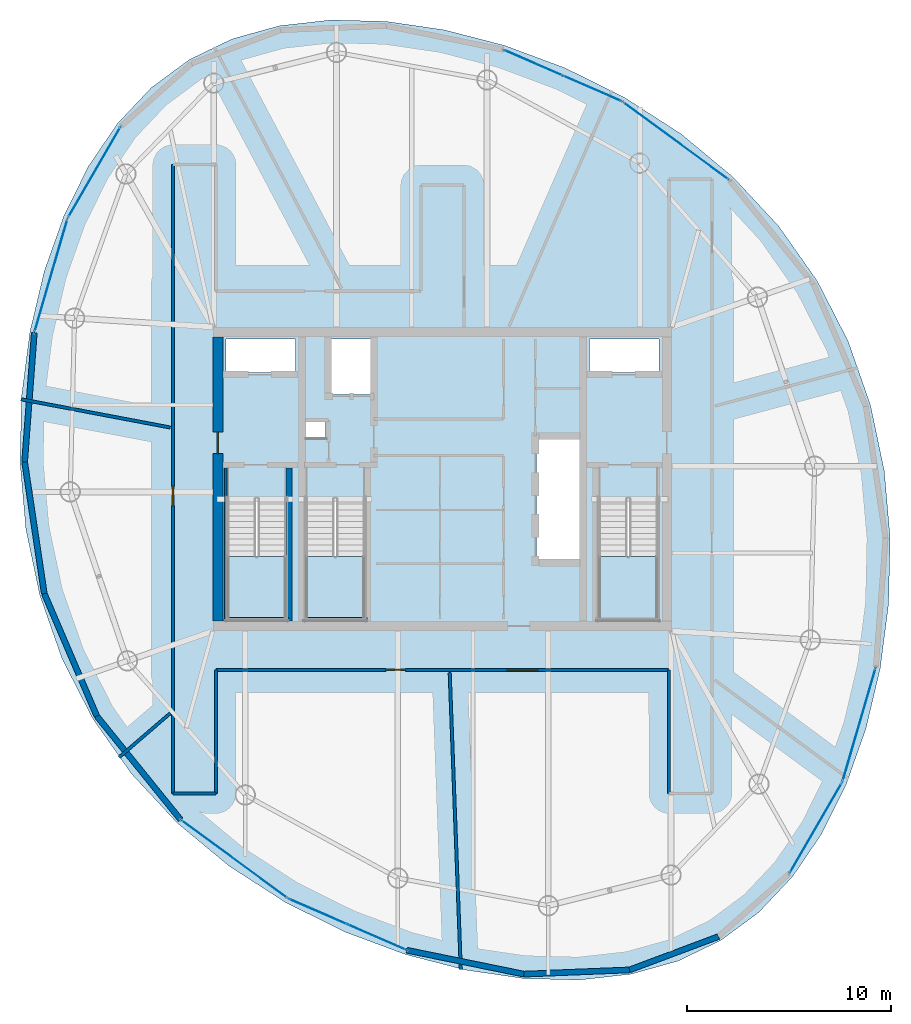
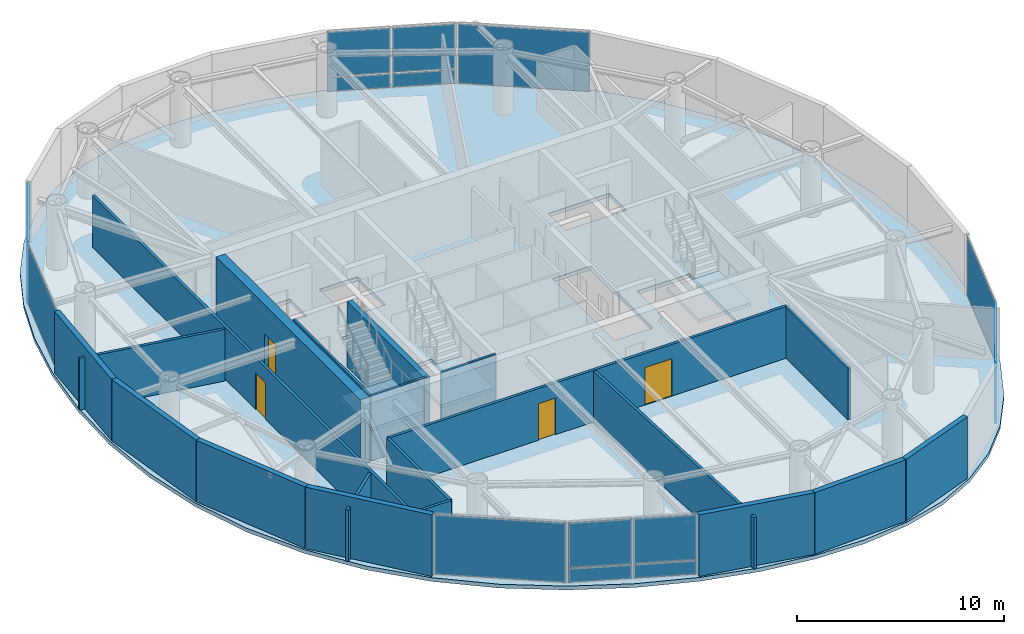
# One storey, part 14 of 20: 20 walls, 14 plates, 4 doors, 4 slabs, 4 openings, 11 elements without a shape of their own.
"""IFC4 building model written with IfcOpenShell, lengths in metres."""

from ifc_helpers import new_model, si_unit, direction, frame, frame_2d, origin, origin_2d, place, context, subcontext, project, spatial, polyline, rectangle, outline, extrude, material, layer, layer_set, type_object, element, fill, aggregate, save


model = new_model("IFC4")

# Units and contexts
model_context = context("Model", 3, precision=1e-05, world=origin(), true_north=direction((0.0, 1.0)))
body_context = subcontext(model_context, "Body", "Model", "MODEL_VIEW")
ifc_project = project(units=[si_unit("LENGTHUNIT", "METRE"), si_unit("AREAUNIT", "SQUARE_METRE"), si_unit("VOLUMEUNIT", "CUBIC_METRE"), si_unit("PLANEANGLEUNIT", "RADIAN"), si_unit("MASSUNIT", "GRAM", prefix="KILO")], contexts=[model_context])

# Site, building, storey
site_placement = place(None, origin())
site = spatial("IfcSite", under=ifc_project, at=site_placement, CompositionType="ELEMENT")
building_placement = place(site_placement, origin())
building = spatial("IfcBuilding", under=site, at=building_placement, Name="Bramvorn Convention Spire", CompositionType="ELEMENT")
storey_placement = place(building_placement, frame((0.0, 0.0, 269.0)))
storey = spatial("IfcBuildingStorey", under=building, at=storey_placement, Name="L68", CompositionType="ELEMENT", Elevation=269.0)

# Curtain wall, plate
ifc_material_1 = material(Name="Anodised Bronze Unitised Curtain Wall", Category="aluminium")
ifc_layer_1 = layer(ifc_material_1, 0.179931640625)
ifc_layer_set_1 = layer_set([ifc_layer_1], Name="Anodised Bronze Unitised Curtain Wall - CW-OFF-FRIT")
curtain_wall_type = type_object("IfcCurtainWallType", Name="CW-OFF-FRIT", PredefinedType="USERDEFINED", material=ifc_layer_set_1)
curtain_wall_1_placement = place(storey_placement, origin())
curtain_wall_1 = element("IfcCurtainWall", 1, at=curtain_wall_1_placement, inside=storey, type_object=curtain_wall_type, Name="L68 fritted glass curtain wall 02", ObjectType="UNITISED CURTAIN WALL", PredefinedType="USERDEFINED")
ifc_material_2 = material(Name="Laminated Low-E Glass (Triple IGU High-VLT Low-Iron 22%)", Category="glass")
ifc_layer_2 = layer(ifc_material_2, 0.0419921875)
ifc_layer_set_2 = layer_set([ifc_layer_2], Name="Laminated Low-E Glass (Triple IGU High-VLT Low-Iron 22%) - PNL-IGU-4")
plate_type = type_object("IfcPlateType", Name="PNL-IGU-4", PredefinedType="CURTAIN_PANEL", material=ifc_layer_set_2)
plate_1_placement = place(storey_placement, frame((56.296630859375, 8.913818359375, 0.06005859375), z_axis=(0.0, 0.0, 1.0), x_axis=(-0.501431994645, -0.865197061221, 0.0)))
plate_1 = element("IfcPlate", 2, at=plate_1_placement, type_object=plate_type, Name="CW3 panel 1.1", PredefinedType="CURTAIN_PANEL", context=body_context, shape_type="SweptSolid", body=[
    extrude(rectangle(XDim=5.05908203125, YDim=0.028076171875, at=origin_2d()), origin(), (0.0, 0.0, 1.0), 3.5048828125),
])
aggregate(curtain_wall_1, [plate_1])

curtain_wall_2_placement = place(storey_placement, origin())
curtain_wall_2 = element("IfcCurtainWall", 3, at=curtain_wall_2_placement, inside=storey, type_object=curtain_wall_type, Name="L68 fritted glass curtain wall 03", ObjectType="UNITISED CURTAIN WALL", PredefinedType="USERDEFINED")
plate_2_placement = place(storey_placement, frame((58.415283203125, 13.96728515625, 0.06005859375), z_axis=(0.0, 0.0, 1.0), x_axis=(-0.279932504237, -0.96001968369, 0.0)))
plate_2 = element("IfcPlate", 4, at=plate_2_placement, type_object=plate_type, Name="CW3 panel 1.1", PredefinedType="CURTAIN_PANEL", context=body_context, shape_type="SweptSolid", body=[
    extrude(rectangle(XDim=5.739990234375, YDim=0.028076171875, at=origin_2d()), origin(), (0.0, 0.0, 1.0), 3.5048828125),
])
aggregate(curtain_wall_2, [plate_2])

curtain_wall_3_placement = place(storey_placement, origin())
curtain_wall_3 = element("IfcCurtainWall", 5, at=curtain_wall_3_placement, inside=storey, type_object=curtain_wall_type, Name="L68 fritted glass curtain wall 08", ObjectType="UNITISED CURTAIN WALL", PredefinedType="USERDEFINED")
plate_3_placement = place(storey_placement, frame((49.43603515625, 42.565673828125, 0.06005859375), z_axis=(0.0, 0.0, 1.0), x_axis=(0.806008769909, -0.591903592512, 0.0)))
plate_3 = element("IfcPlate", 6, at=plate_3_placement, type_object=plate_type, Name="CW3 panel 1.1", PredefinedType="CURTAIN_PANEL", context=body_context, shape_type="SweptSolid", body=[
    extrude(rectangle(XDim=6.40625, YDim=0.028076171875, at=origin_2d()), origin(), (0.0, 0.0, 1.0), 3.5048828125),
])
aggregate(curtain_wall_3, [plate_3])

# Curtain wall, plates
curtain_wall_4_placement = place(storey_placement, origin())
curtain_wall_4 = element("IfcCurtainWall", 7, at=curtain_wall_4_placement, inside=storey, type_object=curtain_wall_type, Name="L68 fritted glass curtain wall 09", ObjectType="UNITISED CURTAIN WALL", PredefinedType="USERDEFINED")
plate_4_placement = place(storey_placement, frame((42.4560546875, 46.390380859375, 0.06005859375), z_axis=(0.0, 0.0, 1.0), x_axis=(0.916912385376, -0.399088558524, 0.0)))
plate_4 = element("IfcPlate", 8, at=plate_4_placement, type_object=plate_type, Name="CW3 panel 1.1", PredefinedType="CURTAIN_PANEL", context=body_context, shape_type="SweptSolid", body=[
    extrude(rectangle(XDim=3.08251953125, YDim=0.028076171875, at=origin_2d()), origin(), (0.0, 0.0, 1.0), 0.81005859375),
])
plate_5_placement = place(storey_placement, frame((42.4560546875, 46.390380859375, 0.93017578125), z_axis=(0.0, 0.0, 1.0), x_axis=(0.916912385376, -0.399088558524, 0.0)))
plate_5 = element("IfcPlate", 9, at=plate_5_placement, type_object=plate_type, Name="CW3 panel 1.2", PredefinedType="CURTAIN_PANEL", context=body_context, shape_type="SweptSolid", body=[
    extrude(rectangle(XDim=3.08251953125, YDim=0.028076171875, at=origin_2d()), origin(), (0.0, 0.0, 1.0), 2.635009765625),
])
plate_6_placement = place(storey_placement, frame((45.337646484375, 45.13623046875, 0.06005859375), z_axis=(0.0, 0.0, 1.0), x_axis=(0.916912385376, -0.399088558524, 0.0)))
plate_6 = element("IfcPlate", 10, at=plate_6_placement, type_object=plate_type, Name="CW3 panel 2.1", PredefinedType="CURTAIN_PANEL", context=body_context, shape_type="SweptSolid", body=[
    extrude(rectangle(XDim=3.08251953125, YDim=0.028076171875, at=origin_2d()), origin(), (0.0, 0.0, 1.0), 0.81005859375),
])
plate_7_placement = place(storey_placement, frame((45.337646484375, 45.13623046875, 0.93017578125), z_axis=(0.0, 0.0, 1.0), x_axis=(0.916912385376, -0.399088558524, 0.0)))
plate_7 = element("IfcPlate", 11, at=plate_7_placement, type_object=plate_type, Name="CW3 panel 2.2", PredefinedType="CURTAIN_PANEL", context=body_context, shape_type="SweptSolid", body=[
    extrude(rectangle(XDim=3.08251953125, YDim=0.028076171875, at=origin_2d()), origin(), (0.0, 0.0, 1.0), 2.635009765625),
])
aggregate(curtain_wall_4, [plate_4, plate_5, plate_6, plate_7])

# Curtain wall, plate
curtain_wall_5_placement = place(storey_placement, origin())
curtain_wall_5 = element("IfcCurtainWall", 12, at=curtain_wall_5_placement, inside=storey, type_object=curtain_wall_type, Name="L68 fritted glass curtain wall 14", ObjectType="UNITISED CURTAIN WALL", PredefinedType="USERDEFINED")
plate_8_placement = place(storey_placement, frame((20.943115234375, 41.031005859375, 0.06005859375), z_axis=(0.0, 0.0, 1.0), x_axis=(0.501423618172, 0.86520191582, 0.0)))
plate_8 = element("IfcPlate", 13, at=plate_8_placement, type_object=plate_type, Name="CW3 panel 1.1", PredefinedType="CURTAIN_PANEL", context=body_context, shape_type="SweptSolid", body=[
    extrude(rectangle(XDim=5.059326171875, YDim=0.028076171875, at=origin_2d()), origin(), (0.0, 0.0, 1.0), 3.5048828125),
])
aggregate(curtain_wall_5, [plate_8])

curtain_wall_6_placement = place(storey_placement, origin())
curtain_wall_6 = element("IfcCurtainWall", 14, at=curtain_wall_6_placement, inside=storey, type_object=curtain_wall_type, Name="L68 fritted glass curtain wall 15", ObjectType="UNITISED CURTAIN WALL", PredefinedType="USERDEFINED")
plate_9_placement = place(storey_placement, frame((18.824462890625, 35.9775390625, 0.06005859375), z_axis=(0.0, 0.0, 1.0), x_axis=(0.279932504237, 0.96001968369, 0.0)))
plate_9 = element("IfcPlate", 15, at=plate_9_placement, type_object=plate_type, Name="CW3 panel 1.1", PredefinedType="CURTAIN_PANEL", context=body_context, shape_type="SweptSolid", body=[
    extrude(rectangle(XDim=5.739990234375, YDim=0.028076171875, at=origin_2d()), origin(), (0.0, 0.0, 1.0), 3.5048828125),
])
aggregate(curtain_wall_6, [plate_9])

curtain_wall_7_placement = place(storey_placement, origin())
curtain_wall_7 = element("IfcCurtainWall", 16, at=curtain_wall_7_placement, inside=storey, type_object=curtain_wall_type, Name="L68 fritted glass curtain wall 20", ObjectType="UNITISED CURTAIN WALL", PredefinedType="USERDEFINED")
plate_10_placement = place(storey_placement, frame((27.8037109375, 7.379150390625, 0.06005859375), z_axis=(0.0, 0.0, 1.0), x_axis=(-0.806008769909, 0.591903592512, 0.0)))
plate_10 = element("IfcPlate", 17, at=plate_10_placement, type_object=plate_type, Name="CW3 panel 1.1", PredefinedType="CURTAIN_PANEL", context=body_context, shape_type="SweptSolid", body=[
    extrude(rectangle(XDim=6.40625, YDim=0.028076171875, at=origin_2d()), origin(), (0.0, 0.0, 1.0), 3.5048828125),
])
aggregate(curtain_wall_7, [plate_10])

# Curtain wall, plates
curtain_wall_8_placement = place(storey_placement, origin())
curtain_wall_8 = element("IfcCurtainWall", 18, at=curtain_wall_8_placement, inside=storey, type_object=curtain_wall_type, Name="L68 fritted glass curtain wall 21", ObjectType="UNITISED CURTAIN WALL", PredefinedType="USERDEFINED")
plate_11_placement = place(storey_placement, frame((34.783447265625, 3.554443359375, 0.06005859375), z_axis=(0.0, 0.0, 1.0), x_axis=(-0.916912385376, 0.399088558524, 0.0)))
plate_11 = element("IfcPlate", 19, at=plate_11_placement, type_object=plate_type, Name="CW3 panel 1.1", PredefinedType="CURTAIN_PANEL", context=body_context, shape_type="SweptSolid", body=[
    extrude(rectangle(XDim=3.08251953125, YDim=0.028076171875, at=origin_2d()), origin(), (0.0, 0.0, 1.0), 0.81005859375),
])
plate_12_placement = place(storey_placement, frame((34.783447265625, 3.554443359375, 0.93017578125), z_axis=(0.0, 0.0, 1.0), x_axis=(-0.916912385376, 0.399088558524, 0.0)))
plate_12 = element("IfcPlate", 20, at=plate_12_placement, type_object=plate_type, Name="CW3 panel 1.2", PredefinedType="CURTAIN_PANEL", context=body_context, shape_type="SweptSolid", body=[
    extrude(rectangle(XDim=3.08251953125, YDim=0.028076171875, at=origin_2d()), origin(), (0.0, 0.0, 1.0), 2.635009765625),
])
plate_13_placement = place(storey_placement, frame((31.902099609375, 4.80859375, 0.06005859375), z_axis=(0.0, 0.0, 1.0), x_axis=(-0.916912385376, 0.399088558524, 0.0)))
plate_13 = element("IfcPlate", 21, at=plate_13_placement, type_object=plate_type, Name="CW3 panel 2.1", PredefinedType="CURTAIN_PANEL", context=body_context, shape_type="SweptSolid", body=[
    extrude(rectangle(XDim=3.08251953125, YDim=0.028076171875, at=origin_2d()), origin(), (0.0, 0.0, 1.0), 0.81005859375),
])
plate_14_placement = place(storey_placement, frame((31.902099609375, 4.80859375, 0.93017578125), z_axis=(0.0, 0.0, 1.0), x_axis=(-0.916912385376, 0.399088558524, 0.0)))
plate_14 = element("IfcPlate", 22, at=plate_14_placement, type_object=plate_type, Name="CW3 panel 2.2", PredefinedType="CURTAIN_PANEL", context=body_context, shape_type="SweptSolid", body=[
    extrude(rectangle(XDim=3.08251953125, YDim=0.028076171875, at=origin_2d()), origin(), (0.0, 0.0, 1.0), 2.635009765625),
])
aggregate(curtain_wall_8, [plate_11, plate_12, plate_13, plate_14])

# Stair, slab
ifc_material_3 = material(Name="Concrete C40/50 Precast Stair", Category="concrete")
stair_type = type_object("IfcStairType", Name="ST-TOWER-1550", PredefinedType="HALF_TURN_STAIR", material=ifc_material_3)
stair_1_placement = place(storey_placement, origin())
stair_1 = element("IfcStair", 23, at=stair_1_placement, inside=storey, type_object=stair_type, Name="L68 Protected Exit Stair ST1", PredefinedType="HALF_TURN_STAIR")
ifc_material_4 = material(Name="Concrete C40/50 Stair Landing", Category="concrete")
ifc_layer_3 = layer(ifc_material_4, 0.219970703125)
ifc_layer_set_3 = layer_set([ifc_layer_3], Name="Concrete C40/50 Stair Landing - SLB-STAIR-LANDING")
slab_type_1 = type_object("IfcSlabType", Name="SLB-STAIR-LANDING", PredefinedType="LANDING", material=ifc_layer_set_3)
slab_1_placement = place(storey_placement, frame((0.0, 0.0, 1.72509765625)))
slab_1 = element("IfcSlab", 24, at=slab_1_placement, type_object=slab_type_1, Name="ST1 landing 1", PredefinedType="LANDING", context=body_context, shape_type="SweptSolid", body=[
    extrude(outline(polyline([(27.449951171875, 22.199951171875), (27.449951171875, 19.10009765625), (30.35009765625, 19.10009765625), (30.35009765625, 22.199951171875), (27.449951171875, 22.199951171875)])), origin(), (0.0, 0.0, 1.0), 0.199951171875),
])
aggregate(stair_1, [slab_1])

stair_2_placement = place(storey_placement, origin())
stair_2 = element("IfcStair", 25, at=stair_2_placement, inside=storey, type_object=stair_type, Name="L68 Protected Exit Stair ST2", PredefinedType="HALF_TURN_STAIR")
slab_2_placement = place(storey_placement, frame((0.0, 0.0, 1.72509765625)))
slab_2 = element("IfcSlab", 26, at=slab_2_placement, type_object=slab_type_1, Name="ST2 landing 1", PredefinedType="LANDING", context=body_context, shape_type="SweptSolid", body=[
    extrude(outline(polyline([(45.64990234375, 22.199951171875), (45.64990234375, 19.10009765625), (48.550048828125, 19.10009765625), (48.550048828125, 22.199951171875), (45.64990234375, 22.199951171875)])), origin(), (0.0, 0.0, 1.0), 0.199951171875),
])
aggregate(stair_2, [slab_2])

stair_3_placement = place(storey_placement, origin())
stair_3 = element("IfcStair", 27, at=stair_3_placement, inside=storey, type_object=stair_type, Name="L68 Protected Exit Stair ST3", PredefinedType="HALF_TURN_STAIR")
slab_3_placement = place(storey_placement, frame((0.0, 0.0, 1.72509765625)))
slab_3 = element("IfcSlab", 28, at=slab_3_placement, type_object=slab_type_1, Name="ST3 landing 1", PredefinedType="LANDING", context=body_context, shape_type="SweptSolid", body=[
    extrude(outline(polyline([(31.300048828125, 22.199951171875), (31.300048828125, 19.10009765625), (34.199951171875, 19.10009765625), (34.199951171875, 22.199951171875), (31.300048828125, 22.199951171875)])), origin(), (0.0, 0.0, 1.0), 0.199951171875),
])
aggregate(stair_3, [slab_3])

# Slab
ifc_material_5 = material(Name="Concrete C40/50", Category="concrete")
ifc_layer_4 = layer(ifc_material_5, 0.22509765625)
ifc_layer_set_4 = layer_set([ifc_layer_4], Name="Concrete C40/50 - SLB-Z4-225")
slab_type_2 = type_object("IfcSlabType", Name="SLB-Z4-225", PredefinedType="FLOOR", material=ifc_layer_set_4)
slab_4_placement = place(storey_placement, frame((0.0, 0.0, -0.22509765625)))
element("IfcSlab", 29, at=slab_4_placement, inside=storey, type_object=slab_type_2, Name="L68 tower floor slab", PredefinedType="FLOOR", context=body_context, shape_type="SweptSolid", body=[
    extrude(outline(polyline([(51.636474609375, 3.39453125), (53.505126953125, 4.773681640625), (55.1533203125, 6.518798828125), (56.581298828125, 8.61767578125), (57.783935546875, 11.0458984375), (58.74755859375, 13.765869140625), (59.44921875, 16.727294921875), (59.85693359375, 19.86767578125), (59.935302734375, 23.11572265625), (59.649169921875, 26.395751953125), (58.968994140625, 29.630859375), (57.878173828125, 32.748291015625), (56.37548828125, 35.683349609375), (54.47998046875, 38.38134765625), (52.231201171875, 40.800537109375), (49.686767578125, 42.910888671875), (46.918701171875, 44.693603515625), (44.0087890625, 46.13916015625), (41.040771484375, 47.2431640625), (38.093994140625, 48.00390625), (35.238525390625, 48.419921875), (32.529541015625, 48.48828125), (30.007080078125, 48.2041015625), (27.694580078125, 47.560302734375), (25.603271484375, 46.55029296875), (23.734619140625, 45.17138671875), (22.08642578125, 43.42626953125), (20.658447265625, 41.327392578125), (19.455810546875, 38.899169921875), (18.491943359375, 36.17919921875), (17.79052734375, 33.2177734375), (17.3828125, 30.077392578125), (17.30419921875, 26.8291015625), (17.590576171875, 23.54931640625), (18.2705078125, 20.314208984375), (19.361572265625, 17.196533203125), (20.8642578125, 14.26171875), (22.759521484375, 11.563720703125), (25.00830078125, 9.14453125), (27.552978515625, 7.0341796875), (30.32080078125, 5.251220703125), (33.230712890625, 3.8056640625), (36.198974609375, 2.701904296875), (39.1455078125, 1.941162109375), (42.001220703125, 1.525146484375), (44.710205078125, 1.45654296875), (47.232666015625, 1.74072265625), (49.544921875, 2.384765625), (51.636474609375, 3.39453125)]), holes=[polyline([(27.449951171875, 25.050048828125), (27.449951171875, 19.10009765625), (30.35009765625, 19.10009765625), (30.35009765625, 25.050048828125), (27.449951171875, 25.050048828125)]), polyline([(45.64990234375, 25.050048828125), (45.64990234375, 19.10009765625), (48.550048828125, 19.10009765625), (48.550048828125, 25.050048828125), (45.64990234375, 25.050048828125)]), polyline([(31.300048828125, 25.050048828125), (31.300048828125, 19.10009765625), (34.199951171875, 19.10009765625), (34.199951171875, 25.050048828125), (31.300048828125, 25.050048828125)]), polyline([(27.39990234375, 31.219970703125), (30.800048828125, 31.219970703125), (30.800048828125, 32.85009765625), (27.39990234375, 32.85009765625), (27.39990234375, 31.219970703125)]), polyline([(45.199951171875, 31.219970703125), (48.60009765625, 31.219970703125), (48.60009765625, 32.85009765625), (45.199951171875, 32.85009765625), (45.199951171875, 31.219970703125)]), polyline([(32.449951171875, 30.14990234375), (34.56005859375, 30.14990234375), (34.56005859375, 32.85009765625), (32.449951171875, 32.85009765625), (32.449951171875, 30.14990234375)]), polyline([(42.6201171875, 22.0), (44.75, 22.0), (44.75, 28.0), (42.6201171875, 28.0), (42.6201171875, 22.0)]), polyline([(31.320068359375, 28.02001953125), (32.280029296875, 28.02001953125), (32.280029296875, 28.820068359375), (31.320068359375, 28.820068359375), (31.320068359375, 28.02001953125)])]), origin(), (0.0, 0.0, 1.0), 0.22509765625),
])

# Wall, opening, door
ifc_material_6 = material(Name="Concrete C50/60", Category="concrete")
ifc_layer_5 = layer(ifc_material_6, 0.5)
ifc_layer_set_5 = layer_set([ifc_layer_5], Name="Concrete C50/60 - WL-CORE-500")
wall_type_1 = type_object("IfcWallType", Name="WL-CORE-500", PredefinedType="SHEAR", material=ifc_layer_set_5)
wall_1_placement = place(storey_placement, frame((27.0, 19.050048828125, 0.0), z_axis=(0.0, 0.0, 1.0), x_axis=(0.0, 1.0, 0.0)))
wall_1 = element("IfcWall", 30, at=wall_1_placement, inside=storey, type_object=wall_type_1, Name="L68 West RC core shear wall", PredefinedType="SHEAR", context=body_context, shape_type="SweptSolid", body=[
    extrude(rectangle(XDim=13.89990234375, YDim=0.5, at=frame_2d((6.949951171875, 0.0))), origin(), (0.0, 0.0, 1.0), 3.85009765625),
])
opening_1_placement = place(wall_1_placement, frame((8.199951171875, 0.0, 0.0)))
opening_1 = element("IfcOpeningElement", 31, at=opening_1_placement, cuts=wall_1, Name="Opening DL-105", PredefinedType="OPENING", context=body_context, shape_type="SweptSolid", body=[
    extrude(rectangle(XDim=1.050048828125, YDim=2.14990234375, at=frame_2d((0.52490234375, 1.074951171875))), frame((0.0, 0.260009765625, 0.0), z_axis=(0.0, -1.0, 0.0), x_axis=(1.0, 0.0, 0.0)), (0.0, 0.0, 1.0), 0.52001953125),
])
ifc_material_7 = material(Name="Smoke-Sealed Fire Lobby Timber-Core Door", Category="wood")
door_type_1 = type_object("IfcDoorType", Name="DR-LOBBY-1050", OperationType="NOTDEFINED", PredefinedType="DOOR", material=ifc_material_7)
door_1_placement = place(opening_1_placement, origin())
door_1 = element("IfcDoor", 32, at=door_1_placement, inside=storey, type_object=door_type_1, Name="L68 West Firefighting Lobby corridor door", OperationType="SINGLE_SWING_RIGHT", OverallHeight=2.14990234375, OverallWidth=1.050048828125, PredefinedType="DOOR", context=body_context, shape_type="SweptSolid", body=[
    extrude(rectangle(XDim=1.050048828125, YDim=2.14990234375, at=frame_2d((0.52490234375, 1.074951171875))), frame((0.0, 0.02490234375, 0.0), z_axis=(0.0, -1.0, 0.0), x_axis=(1.0, 0.0, 0.0)), (0.0, 0.0, 1.0), 0.050048828125),
])
fill(opening_1, door_1)

# Walls
ifc_material_8 = material(Name="Precast Concrete C40/50 with Bronze Terracotta Rainscreen", Category="masonry")
ifc_layer_6 = layer(ifc_material_8, 0.300048828125)
ifc_layer_set_6 = layer_set([ifc_layer_6], Name="Precast Concrete C40/50 with Bronze Terracotta Rainscreen - WL-EXT-BRONZE-300")
wall_type_2 = type_object("IfcWallType", Name="WL-EXT-BRONZE-300", PredefinedType="SOLIDWALL", material=ifc_layer_set_6)
wall_2_placement = place(storey_placement, frame((17.53076171875, 26.83740234375, 0.0), z_axis=(0.0, 0.0, 1.0), x_axis=(0.074607246158, 0.997212995714, 0.0)))
element("IfcWall", 33, at=wall_2_placement, inside=storey, type_object=wall_type_2, Name="L68 expressed bronze Gothic lancet pier wall 16", PredefinedType="SOLIDWALL", context=body_context, shape_type="SweptSolid", body=[
    extrude(rectangle(XDim=6.344970703125, YDim=0.280029296875, at=frame_2d((3.17236328125, 0.0))), origin(), (0.0, 0.0, 1.0), 3.625),
])
wall_3_placement = place(storey_placement, frame((18.494384765625, 20.3828125, 0.0), z_axis=(0.0, 0.0, 1.0), x_axis=(-0.147656249056, 0.989038741463, 0.0)))
element("IfcWall", 34, at=wall_3_placement, inside=storey, type_object=wall_type_2, Name="L68 expressed bronze Gothic lancet pier wall 17", PredefinedType="SOLIDWALL", context=body_context, shape_type="SweptSolid", body=[
    extrude(rectangle(XDim=6.526123046875, YDim=0.280029296875, at=frame_2d((3.26318359375, 0.0))), origin(), (0.0, 0.0, 1.0), 3.625),
])
wall_4_placement = place(storey_placement, frame((21.067626953125, 14.384521484375, 0.0), z_axis=(0.0, 0.0, 1.0), x_axis=(-0.394248824312, 0.919003734774, 0.0)))
element("IfcWall", 35, at=wall_4_placement, inside=storey, type_object=wall_type_2, Name="L68 expressed bronze Gothic lancet pier wall 18", PredefinedType="SOLIDWALL", context=body_context, shape_type="SweptSolid", body=[
    extrude(rectangle(XDim=6.52685546875, YDim=0.280029296875, at=frame_2d((3.263427734375, 0.0))), origin(), (0.0, 0.0, 1.0), 3.625),
])
wall_5_placement = place(storey_placement, frame((25.173583984375, 9.310546875, 0.0), z_axis=(0.0, 0.0, 1.0), x_axis=(-0.629055110494, 0.777360706469, 0.0)))
element("IfcWall", 36, at=wall_5_placement, inside=storey, type_object=wall_type_2, Name="L68 expressed bronze Gothic lancet pier wall 19", PredefinedType="SOLIDWALL", context=body_context, shape_type="SweptSolid", body=[
    extrude(rectangle(XDim=6.527099609375, YDim=0.280029296875, at=frame_2d((3.263671875, 0.0))), origin(), (0.0, 0.0, 1.0), 3.625),
])
wall_6_placement = place(storey_placement, frame((41.9931640625, 1.742919921875, 0.0), z_axis=(0.0, 0.0, 1.0), x_axis=(-0.979782730414, 0.200064492556, 0.0)))
element("IfcWall", 37, at=wall_6_placement, inside=storey, type_object=wall_type_2, Name="L68 expressed bronze Gothic lancet pier wall 22", PredefinedType="SOLIDWALL", context=body_context, shape_type="SweptSolid", body=[
    extrude(rectangle(XDim=5.85986328125, YDim=0.280029296875, at=frame_2d((2.929931640625, 0.0))), origin(), (0.0, 0.0, 1.0), 3.625),
])
wall_7_placement = place(storey_placement, frame((47.168212890625, 1.9501953125, 0.0), z_axis=(0.0, 0.0, 1.0), x_axis=(-0.999198848892, -0.04002074929, 0.0)))
element("IfcWall", 38, at=wall_7_placement, inside=storey, type_object=wall_type_2, Name="L68 expressed bronze Gothic lancet pier wall 23", PredefinedType="SOLIDWALL", context=body_context, shape_type="SweptSolid", body=[
    extrude(rectangle(XDim=5.17919921875, YDim=0.280029296875, at=frame_2d((2.589599609375, 0.0))), origin(), (0.0, 0.0, 1.0), 3.625),
])
wall_8_placement = place(storey_placement, frame((51.522705078125, 3.5830078125, 0.0), z_axis=(0.0, 0.0, 1.0), x_axis=(-0.936337806942, -0.351100429066, 0.0)))
element("IfcWall", 39, at=wall_8_placement, inside=storey, type_object=wall_type_2, Name="L68 expressed bronze Gothic lancet pier wall 24", PredefinedType="SOLIDWALL", context=body_context, shape_type="SweptSolid", body=[
    extrude(rectangle(XDim=4.650634765625, YDim=0.280029296875, at=frame_2d((2.3251953125, 0.0))), origin(), (0.0, 0.0, 1.0), 3.625),
])

# Wall, openings, doors
ifc_material_9 = material(Name="Acoustic Metal-Stud Tenant/Corridor Partition", Category="gypsum")
ifc_layer_7 = layer(ifc_material_9, 0.14990234375)
ifc_layer_set_7 = layer_set([ifc_layer_7], Name="Acoustic Metal-Stud Tenant/Corridor Partition - WL-PART-150")
wall_type_3 = type_object("IfcWallType", Name="WL-PART-150", PredefinedType="PARTITIONING", material=ifc_layer_set_7)
wall_9_placement = place(storey_placement, frame((26.89990234375, 16.64990234375, 0.0), z_axis=(0.0, 0.0, 1.0), x_axis=(1.0, 0.0, 0.0)))
wall_9 = element("IfcWall", 40, at=wall_9_placement, inside=storey, type_object=wall_type_3, Name="L68 South H-crossbar wall", PredefinedType="PARTITIONING", context=body_context, shape_type="SweptSolid", body=[
    extrude(rectangle(XDim=22.2001953125, YDim=0.14990234375, at=frame_2d((11.10009765625, 0.0))), origin(), (0.0, 0.0, 1.0), 3.0400390625),
])
opening_2_placement = place(wall_9_placement, frame((8.337890625, 0.0, 0.0)))
opening_2 = element("IfcOpeningElement", 41, at=opening_2_placement, cuts=wall_9, Name="Opening DH-095", PredefinedType="OPENING", context=body_context, shape_type="SweptSolid", body=[
    extrude(rectangle(XDim=0.949951171875, YDim=2.14990234375, at=frame_2d((0.47509765625, 1.074951171875))), frame((0.0, 0.0849609375, 0.0), z_axis=(0.0, -1.0, 0.0), x_axis=(1.0, 0.0, 0.0)), (0.0, 0.0, 1.0), 0.169921875),
])
opening_3_placement = place(wall_9_placement, frame((14.272705078125, 0.0, 0.0)))
opening_3 = element("IfcOpeningElement", 42, at=opening_3_placement, cuts=wall_9, Name="Opening DC-150", PredefinedType="OPENING", context=body_context, shape_type="SweptSolid", body=[
    extrude(rectangle(XDim=1.5, YDim=2.199951171875, at=frame_2d((0.75, 1.10009765625))), frame((0.0, 0.0849609375, 0.0), z_axis=(0.0, -1.0, 0.0), x_axis=(1.0, 0.0, 0.0)), (0.0, 0.0, 1.0), 0.169921875),
])
ifc_material_10 = material(Name="Double-Leaf Smoke-Control Corridor Door", Category="wood")
door_type_2 = type_object("IfcDoorType", Name="DR-COR-1500", OperationType="NOTDEFINED", PredefinedType="DOOR", material=ifc_material_10)
door_2_placement = place(opening_3_placement, origin())
door_2 = element("IfcDoor", 43, at=door_2_placement, inside=storey, type_object=door_type_2, Name="L68 Reception Gallery 6 door", OperationType="DOUBLE_DOOR_SINGLE_SWING", OverallHeight=2.199951171875, OverallWidth=1.5, PredefinedType="DOOR", context=body_context, shape_type="SweptSolid", body=[
    extrude(rectangle(XDim=1.5, YDim=2.199951171875, at=frame_2d((0.75, 1.10009765625))), frame((0.0, 0.02490234375, 0.0), z_axis=(0.0, -1.0, 0.0), x_axis=(1.0, 0.0, 0.0)), (0.0, 0.0, 1.0), 0.050048828125),
])
fill(opening_3, door_2)
ifc_material_11 = material(Name="Solid-Core Acoustic Guestroom Entry Door", Category="wood")
door_type_3 = type_object("IfcDoorType", Name="DR-HOTEL-950", OperationType="NOTDEFINED", PredefinedType="DOOR", material=ifc_material_11)
door_3_placement = place(opening_2_placement, origin())
door_3 = element("IfcDoor", 44, at=door_3_placement, inside=storey, type_object=door_type_3, Name="L68 Managing Director Office 5 door", OperationType="SINGLE_SWING_LEFT", OverallHeight=2.14990234375, OverallWidth=0.949951171875, PredefinedType="DOOR", context=body_context, shape_type="SweptSolid", body=[
    extrude(rectangle(XDim=0.949951171875, YDim=2.14990234375, at=frame_2d((0.47509765625, 1.074951171875))), frame((0.0, 0.02490234375, 0.0), z_axis=(0.0, -1.0, 0.0), x_axis=(1.0, 0.0, 0.0)), (0.0, 0.0, 1.0), 0.050048828125),
])
fill(opening_2, door_3)

# Wall, opening, door
wall_10_placement = place(storey_placement, frame((24.800048828125, 10.60009765625, 0.0), z_axis=(0.0, 0.0, 1.0), x_axis=(0.0, 1.0, 0.0)))
wall_10 = element("IfcWall", 45, at=wall_10_placement, inside=storey, type_object=wall_type_3, Name="L68 West N-S gallery outer wall", PredefinedType="PARTITIONING", context=body_context, shape_type="SweptSolid", body=[
    extrude(rectangle(XDim=30.7998046875, YDim=0.14990234375, at=frame_2d((15.39990234375, 0.0))), origin(), (0.0, 0.0, 1.0), 3.0400390625),
])
opening_4_placement = place(wall_10_placement, frame((14.09228515625, 0.0, 0.0)))
opening_4 = element("IfcOpeningElement", 46, at=opening_4_placement, cuts=wall_10, Name="Opening DH-095", PredefinedType="OPENING", context=body_context, shape_type="SweptSolid", body=[
    extrude(rectangle(XDim=0.949951171875, YDim=2.14990234375, at=frame_2d((0.47509765625, 1.074951171875))), frame((0.0, 0.0849609375, 0.0), z_axis=(0.0, -1.0, 0.0), x_axis=(1.0, 0.0, 0.0)), (0.0, 0.0, 1.0), 0.169921875),
])
door_4_placement = place(opening_4_placement, origin())
door_4 = element("IfcDoor", 47, at=door_4_placement, inside=storey, type_object=door_type_3, Name="L68 C-Suite Meeting Boardroom 4 door", OperationType="SINGLE_SWING_RIGHT", OverallHeight=2.14990234375, OverallWidth=0.949951171875, PredefinedType="DOOR", context=body_context, shape_type="SweptSolid", body=[
    extrude(rectangle(XDim=0.949951171875, YDim=2.14990234375, at=frame_2d((0.47509765625, 1.074951171875))), frame((0.0, 0.02490234375, 0.0), z_axis=(0.0, -1.0, 0.0), x_axis=(1.0, 0.0, 0.0)), (0.0, 0.0, 1.0), 0.050048828125),
])
fill(opening_4, door_4)

# Walls
wall_11_placement = place(storey_placement, frame((26.89990234375, 10.60009765625, 0.0), z_axis=(0.0, 0.0, 1.0), x_axis=(0.0, 1.0, 0.0)))
element("IfcWall", 48, at=wall_11_placement, inside=storey, type_object=wall_type_3, Name="L68 West gallery SE wall", PredefinedType="PARTITIONING", context=body_context, shape_type="SweptSolid", body=[
    extrude(rectangle(XDim=6.0498046875, YDim=0.14990234375, at=frame_2d((3.02490234375, 0.0))), origin(), (0.0, 0.0, 1.0), 3.0400390625),
])
wall_12_placement = place(storey_placement, frame((24.800048828125, 10.60009765625, 0.0), z_axis=(0.0, 0.0, 1.0), x_axis=(1.0, 0.0, 0.0)))
element("IfcWall", 49, at=wall_12_placement, inside=storey, type_object=wall_type_3, Name="L68 West gallery south end", PredefinedType="PARTITIONING", context=body_context, shape_type="SweptSolid", body=[
    extrude(rectangle(XDim=2.099853515625, YDim=0.14990234375, at=frame_2d((1.0498046875, 0.0))), origin(), (0.0, 0.0, 1.0), 3.0400390625),
])
wall_13_placement = place(storey_placement, frame((49.10009765625, 10.60009765625, 0.0), z_axis=(0.0, 0.0, 1.0), x_axis=(0.0, 1.0, 0.0)))
element("IfcWall", 50, at=wall_13_placement, inside=storey, type_object=wall_type_3, Name="L68 East gallery SW wall", PredefinedType="PARTITIONING", context=body_context, shape_type="SweptSolid", body=[
    extrude(rectangle(XDim=6.0498046875, YDim=0.14990234375, at=frame_2d((3.02490234375, 0.0))), origin(), (0.0, 0.0, 1.0), 3.0400390625),
])
wall_14_placement = place(storey_placement, frame((24.659912109375, 28.524169921875, 0.0), z_axis=(0.0, 0.0, 1.0), x_axis=(-0.982569273903, 0.185896804659, 0.0)))
element("IfcWall", 51, at=wall_14_placement, inside=storey, type_object=wall_type_3, Name="L68 Tenant suite partition 4", PredefinedType="PARTITIONING", context=body_context, shape_type="SweptSolid", body=[
    extrude(rectangle(XDim=7.441162109375, YDim=0.14990234375, at=frame_2d((3.720703125, 0.0))), origin(), (0.0, 0.0, 1.0), 3.0400390625),
])
wall_15_placement = place(storey_placement, frame((24.659912109375, 14.52001953125, 0.0), z_axis=(0.0, 0.0, 1.0), x_axis=(-0.757950522392, -0.65231204619, 0.0)))
element("IfcWall", 52, at=wall_15_placement, inside=storey, type_object=wall_type_3, Name="L68 Tenant suite partition 5", PredefinedType="PARTITIONING", context=body_context, shape_type="SweptSolid", body=[
    extrude(rectangle(XDim=3.302490234375, YDim=0.14990234375, at=frame_2d((1.6513671875, 0.0))), origin(), (0.0, 0.0, 1.0), 3.0400390625),
])
wall_16_placement = place(storey_placement, frame((38.35498046875, 16.510009765625, 0.0), z_axis=(0.0, 0.0, 1.0), x_axis=(0.037395304303, -0.999300550994, 0.0)))
element("IfcWall", 53, at=wall_16_placement, inside=storey, type_object=wall_type_3, Name="L68 Tenant suite partition 6", PredefinedType="PARTITIONING", context=body_context, shape_type="SweptSolid", body=[
    extrude(rectangle(XDim=14.5458984375, YDim=0.14990234375, at=frame_2d((7.27294921875, 0.0))), origin(), (0.0, 0.0, 1.0), 3.0400390625),
])
ifc_layer_8 = layer(ifc_material_6, 0.300048828125)
ifc_layer_set_8 = layer_set([ifc_layer_8], Name="Concrete C50/60 - WL-POD-STAIR-300")
wall_type_4 = type_object("IfcWallType", Name="WL-POD-STAIR-300", PredefinedType="SHEAR", material=ifc_layer_set_8)
wall_17_placement = place(storey_placement, frame((30.489990234375, 19.050048828125, 0.0), z_axis=(0.0, 0.0, 1.0), x_axis=(0.0, 1.0, 0.0)))
element("IfcWall", 54, at=wall_17_placement, inside=storey, type_object=wall_type_4, Name="L68 ST1 east bearing wall", PredefinedType="SHEAR", context=body_context, shape_type="SweptSolid", body=[
    extrude(rectangle(XDim=7.5, YDim=0.300048828125, at=frame_2d((3.75, 0.0))), origin(), (0.0, 0.0, 1.0), 3.85009765625),
])
ifc_layer_9 = layer(ifc_material_6, 0.1201171875)
ifc_layer_set_9 = layer_set([ifc_layer_9], Name="Concrete C50/60 - WL-STAIR-RC-120")
wall_type_5 = type_object("IfcWallType", Name="WL-STAIR-RC-120", PredefinedType="SHEAR", material=ifc_layer_set_9)
wall_18_placement = place(storey_placement, frame((27.39501953125, 19.10009765625, 0.0), z_axis=(0.0, 0.0, 1.0), x_axis=(0.0, 1.0, 0.0)))
element("IfcWall", 55, at=wall_18_placement, inside=storey, type_object=wall_type_5, Name="L68 ST1 west bearing shear wall", PredefinedType="SHEAR", context=body_context, shape_type="SweptSolid", body=[
    extrude(rectangle(XDim=7.449951171875, YDim=0.1201171875, at=frame_2d((3.72509765625, 0.0))), origin(), (0.0, 0.0, 1.0), 3.85009765625),
])
wall_19_placement = place(storey_placement, frame((27.39501953125, 19.159912109375, 0.0), z_axis=(0.0, 0.0, 1.0), x_axis=(1.0, 0.0, 0.0)))
element("IfcWall", 56, at=wall_19_placement, inside=storey, type_object=wall_type_5, Name="L68 ST1 south bearing shear wall", PredefinedType="SHEAR", context=body_context, shape_type="SweptSolid", body=[
    extrude(rectangle(XDim=3.094970703125, YDim=0.1201171875, at=frame_2d((1.54736328125, 0.0))), origin(), (0.0, 0.0, 1.0), 3.85009765625),
])
wall_20_placement = place(storey_placement, frame((31.300048828125, 19.159912109375, 0.0), z_axis=(0.0, 0.0, 1.0), x_axis=(1.0, 0.0, 0.0)))
element("IfcWall", 57, at=wall_20_placement, inside=storey, type_object=wall_type_5, Name="L68 ST3 south bearing shear wall", PredefinedType="SHEAR", context=body_context, shape_type="SweptSolid", body=[
    extrude(rectangle(XDim=3.0400390625, YDim=0.1201171875, at=frame_2d((1.52001953125, 0.0))), origin(), (0.0, 0.0, 1.0), 3.85009765625),
])

save(model, "model.ifc")
